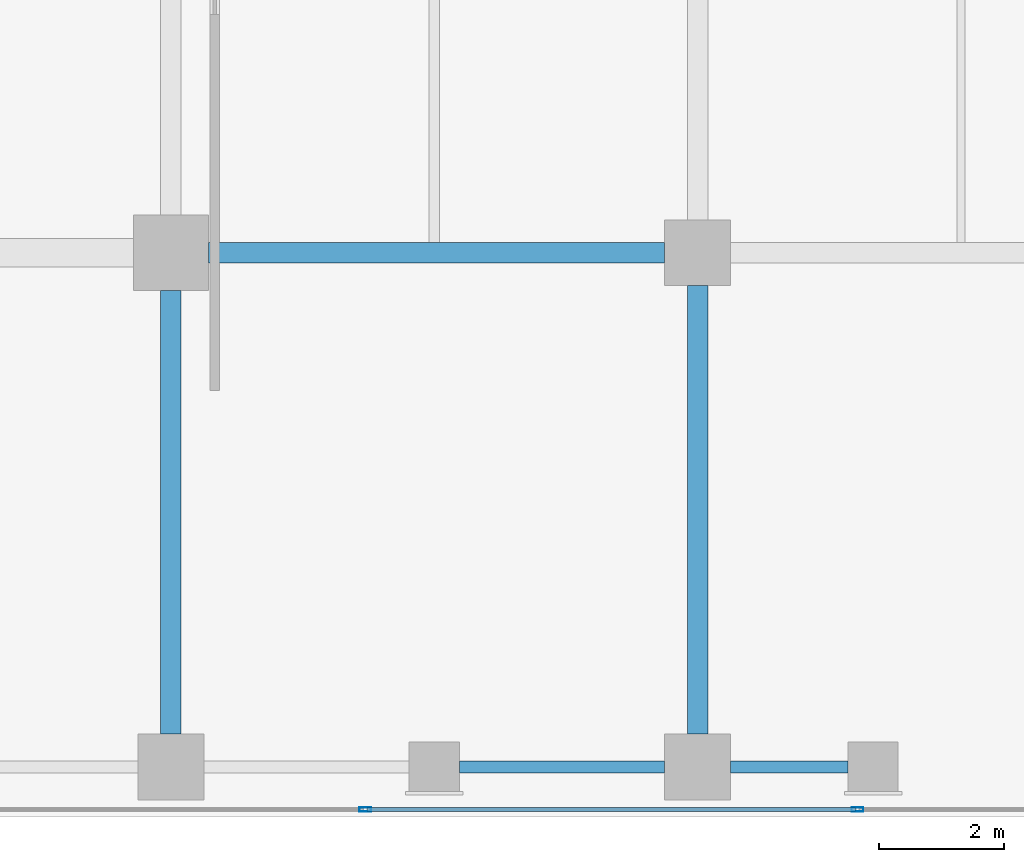
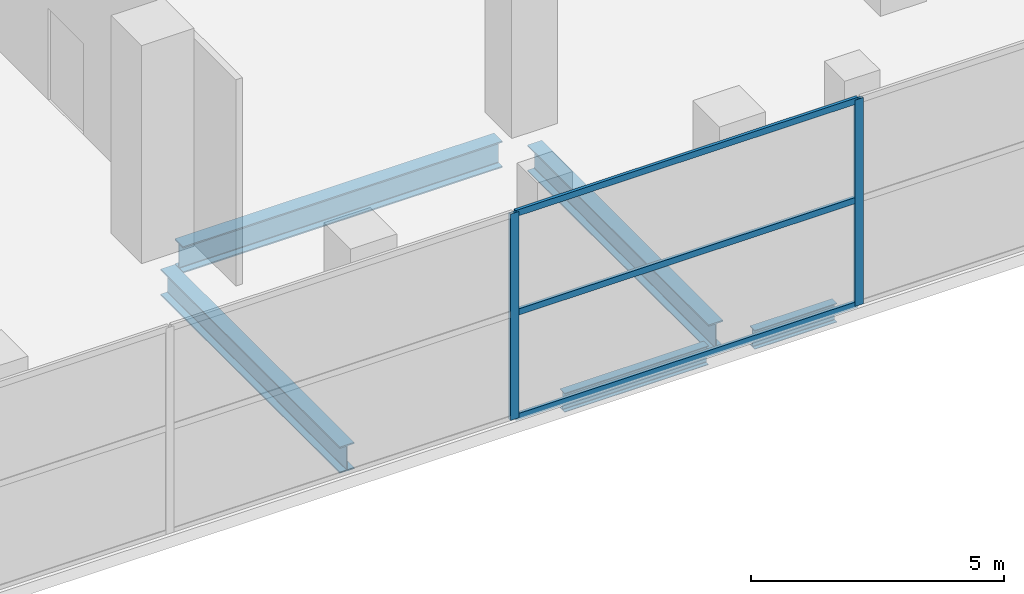
# One storey, part 15 of 40: 5 beams, 5 members, 1 element without a shape of its own.
"""IFC4 building model written with IfcOpenShell, lengths in metres."""

from ifc_helpers import new_model, si_unit, direction, frame, origin, origin_2d, place, context, subcontext, project, spatial, hollow_rectangle, i_section, extrude, material, layer, layer_set, material_profile, profile_set, type_object, element, aggregate, save


model = new_model("IFC4")

# Units and contexts
model_context = context("Model", 3, precision=1e-05, world=origin(), true_north=direction((0.0, 1.0)))
body_context = subcontext(model_context, "Body", "Model", "MODEL_VIEW")
ifc_project = project(units=[si_unit("LENGTHUNIT", "METRE"), si_unit("AREAUNIT", "SQUARE_METRE"), si_unit("VOLUMEUNIT", "CUBIC_METRE"), si_unit("PLANEANGLEUNIT", "RADIAN"), si_unit("MASSUNIT", "GRAM", prefix="KILO")], contexts=[model_context])

# Site, building, storey
site_placement = place(None, origin())
site = spatial("IfcSite", under=ifc_project, at=site_placement, CompositionType="ELEMENT")
building_placement = place(site_placement, origin())
building = spatial("IfcBuilding", under=site, at=building_placement, Name="Maruvema Waterfront Hotel and Observation Tower", CompositionType="ELEMENT")
storey_placement = place(building_placement, frame((0.0, 0.0, 5.60009765625)))
storey = spatial("IfcBuildingStorey", under=building, at=storey_placement, Name="L01", CompositionType="ELEMENT", Elevation=5.60009765625)

# Curtain wall, members
ifc_material_1 = material(Name="Anodised bronze aluminium and solar-control low-E IGU", Category="aluminium")
ifc_layer = layer(ifc_material_1, 0.159912109375, Name="Podium Waterfront Storefront Curtain Wall System CW-01")
ifc_layer_set = layer_set([ifc_layer], Name="Anodised bronze aluminium and solar-control low-E IGU")
curtain_wall_type = type_object("IfcCurtainWallType", Name="Podium Waterfront Storefront Curtain Wall System CW-01", PredefinedType="USERDEFINED", material=ifc_layer_set)
curtain_wall_placement = place(storey_placement, origin())
curtain_wall = element("IfcCurtainWall", 1, at=curtain_wall_placement, inside=storey, type_object=curtain_wall_type, Name="L01 Curtain Wall CW-L01-S", ObjectType="UNITISED CURTAIN WALL", PredefinedType="USERDEFINED")
ifc_material_2 = material(Name="Anodised architectural bronze aluminium", Category="aluminium")
ifc_material_profile_1 = material_profile(ifc_material_2, hollow_rectangle(XDim=0.070068359375, YDim=0.14990234375, WallThickness=0.00390625, at=origin_2d()), Name="ALU-T70x150")
ifc_profile_set_1 = profile_set([ifc_material_profile_1], Name="Anodised architectural bronze aluminium")
member_type_1 = type_object("IfcMemberType", Name="Curtain Wall Horizontal Transom ALU-T70x150", PredefinedType="USERDEFINED", material=ifc_profile_set_1)
member_1_placement = place(storey_placement, frame((53.530029296875, 0.1201171875, 0.02978515625), z_axis=(1.0, 0.0, 0.0), x_axis=(0.0, 1.0, 0.0)))
member_1 = element("IfcMember", 2, at=member_1_placement, type_object=member_type_1, Name="CW-01 transom 7.1", ObjectType="TRANSOM", PredefinedType="USERDEFINED", context=body_context, shape_type="SweptSolid", body=[
    extrude(hollow_rectangle(XDim=0.070068359375, YDim=0.14990234375, WallThickness=0.00390625, at=origin_2d()), origin(), (0.0, 0.0, 1.0), 7.7900390625),
])
member_2_placement = place(storey_placement, frame((53.530029296875, 0.1201171875, 2.5498046875), z_axis=(1.0, 0.0, 0.0), x_axis=(0.0, 1.0, 0.0)))
member_2 = element("IfcMember", 3, at=member_2_placement, type_object=member_type_1, Name="CW-01 transom 7.2", ObjectType="TRANSOM", PredefinedType="USERDEFINED", context=body_context, shape_type="SweptSolid", body=[
    extrude(hollow_rectangle(XDim=0.070068359375, YDim=0.14990234375, WallThickness=0.00390625, at=origin_2d()), origin(), (0.0, 0.0, 1.0), 7.7900390625),
])
member_3_placement = place(storey_placement, frame((53.530029296875, 0.1201171875, 4.93994140625), z_axis=(1.0, 0.0, 0.0), x_axis=(0.0, 1.0, 0.0)))
member_3 = element("IfcMember", 4, at=member_3_placement, type_object=member_type_1, Name="CW-01 transom 7.3", ObjectType="TRANSOM", PredefinedType="USERDEFINED", context=body_context, shape_type="SweptSolid", body=[
    extrude(hollow_rectangle(XDim=0.070068359375, YDim=0.14990234375, WallThickness=0.00390625, at=origin_2d()), origin(), (0.0, 0.0, 1.0), 7.7900390625),
])

# Beams
ifc_material_3 = material(Name="Steel ASTM A572 Grade 50", Category="steel")
ifc_material_profile_2 = material_profile(ifc_material_3, i_section(OverallWidth=0.18994140625, OverallDepth=0.45703125, WebThickness=0.009033203125, FlangeThickness=0.014404296875, FilletRadius=0.014892578125, at=origin_2d()), Name="W460x74.0")
ifc_profile_set_2 = profile_set([ifc_material_profile_2], Name="Steel ASTM A572 Grade 50")
beam_type_1 = type_object("IfcBeamType", Name="Perimeter Spandrel Beam W460x74.0", PredefinedType="SPANDREL", material=ifc_profile_set_2)
beam_1_placement = place(storey_placement, frame((55.0, 0.800048828125, -0.508544921875), z_axis=(1.0, 0.0, 0.0), x_axis=(0.0, 1.0, 0.0)))
element("IfcBeam", 5, at=beam_1_placement, inside=storey, type_object=beam_type_1, Name="L01 Floor Girder EW-08", PredefinedType="SPANDREL", context=body_context, shape_type="SweptSolid", body=[
    extrude(i_section(OverallWidth=0.18994140625, OverallDepth=0.45703125, WebThickness=0.009033203125, FlangeThickness=0.014404296875, FilletRadius=0.014892578125, at=origin_2d()), origin(), (0.0, 0.0, 1.0), 3.27490234375),
])
beam_2_placement = place(storey_placement, frame((59.324951171875, 0.800048828125, -0.508544921875), z_axis=(1.0, 0.0, 0.0), x_axis=(0.0, 1.0, 0.0)))
element("IfcBeam", 6, at=beam_2_placement, inside=storey, type_object=beam_type_1, Name="L01 Floor Girder EW-09", PredefinedType="SPANDREL", context=body_context, shape_type="SweptSolid", body=[
    extrude(i_section(OverallWidth=0.18994140625, OverallDepth=0.45703125, WebThickness=0.009033203125, FlangeThickness=0.014404296875, FilletRadius=0.014892578125, at=origin_2d()), origin(), (0.0, 0.0, 1.0), 1.875),
])

# Member
ifc_material_4 = material(Name="Anodised architectural bronze aluminium", Category="aluminium")
ifc_material_profile_3 = material_profile(ifc_material_4, hollow_rectangle(XDim=0.070068359375, YDim=0.18994140625, WallThickness=0.00390625, at=origin_2d()), Name="ALU-M70x190")
ifc_profile_set_3 = profile_set([ifc_material_profile_3], Name="Anodised architectural bronze aluminium")
member_type_2 = type_object("IfcMemberType", Name="Podium Storefront Heavy Mullion ALU-M70x190", PredefinedType="MULLION", material=ifc_profile_set_3)
member_4_placement = place(storey_placement, frame((53.5, 0.1201171875, 0.0), z_axis=(0.0, 0.0, 1.0), x_axis=(0.0, 1.0, 0.0)))
member_4 = element("IfcMember", 7, at=member_4_placement, type_object=member_type_2, Name="CW-01 mullion 7", PredefinedType="MULLION", context=body_context, shape_type="SweptSolid", body=[
    extrude(hollow_rectangle(XDim=0.070068359375, YDim=0.18994140625, WallThickness=0.00390625, at=origin_2d()), origin(), (0.0, 0.0, 1.0), 4.969970703125),
])

member_5_placement = place(storey_placement, frame((61.35009765625, 0.1201171875, 0.0), z_axis=(0.0, 0.0, 1.0), x_axis=(0.0, 1.0, 0.0)))
member_5 = element("IfcMember", 8, at=member_5_placement, type_object=member_type_2, Name="CW-01 mullion 8", PredefinedType="MULLION", context=body_context, shape_type="SweptSolid", body=[
    extrude(hollow_rectangle(XDim=0.070068359375, YDim=0.18994140625, WallThickness=0.00390625, at=origin_2d()), origin(), (0.0, 0.0, 1.0), 4.969970703125),
])

aggregate(curtain_wall, [member_4, member_5, member_1, member_2, member_3])

# Beams
ifc_material_5 = material(Name="Steel ASTM A572 Grade 50", Category="steel")
ifc_material_profile_4 = material_profile(ifc_material_5, i_section(OverallWidth=0.3291015625, OverallDepth=0.635009765625, WebThickness=0.017822265625, FlangeThickness=0.031005859375, FilletRadius=0.01806640625, at=origin_2d()), Name="W610x241.0")
ifc_profile_set_4 = profile_set([ifc_material_profile_4], Name="Steel ASTM A572 Grade 50")
beam_type_2 = type_object("IfcBeamType", Name="Primary Floor Girder W610x241.0", PredefinedType="BEAM", material=ifc_profile_set_4)
beam_3_placement = place(storey_placement, frame((51.0, 9.0, -0.59765625), z_axis=(1.0, 0.0, 0.0), x_axis=(0.0, 1.0, 0.0)))
element("IfcBeam", 9, at=beam_3_placement, inside=storey, type_object=beam_type_2, Name="L01 Floor Girder EW-13", PredefinedType="BEAM", context=body_context, shape_type="SweptSolid", body=[
    extrude(i_section(OverallWidth=0.3291015625, OverallDepth=0.635009765625, WebThickness=0.017822265625, FlangeThickness=0.031005859375, FilletRadius=0.01806640625, at=origin_2d()), origin(), (0.0, 0.0, 1.0), 7.27490234375),
])
beam_4_placement = place(storey_placement, frame((50.39990234375, 1.324951171875, -0.59765625), z_axis=(0.0, 1.0, 0.0), x_axis=(-1.0, 0.0, 0.0)))
element("IfcBeam", 10, at=beam_4_placement, inside=storey, type_object=beam_type_2, Name="L01 Floor Girder NS-18", PredefinedType="BEAM", context=body_context, shape_type="SweptSolid", body=[
    extrude(i_section(OverallWidth=0.3291015625, OverallDepth=0.635009765625, WebThickness=0.017822265625, FlangeThickness=0.031005859375, FilletRadius=0.01806640625, at=origin_2d()), origin(), (0.0, 0.0, 1.0), 7.074951171875),
])
beam_5_placement = place(storey_placement, frame((58.800048828125, 1.324951171875, -0.59765625), z_axis=(0.0, 1.0, 0.0), x_axis=(-1.0, 0.0, 0.0)))
element("IfcBeam", 11, at=beam_5_placement, inside=storey, type_object=beam_type_2, Name="L01 Floor Girder NS-23", PredefinedType="BEAM", context=body_context, shape_type="SweptSolid", body=[
    extrude(i_section(OverallWidth=0.3291015625, OverallDepth=0.635009765625, WebThickness=0.017822265625, FlangeThickness=0.031005859375, FilletRadius=0.01806640625, at=origin_2d()), origin(), (0.0, 0.0, 1.0), 7.150146484375),
])

save(model, "model.ifc")
